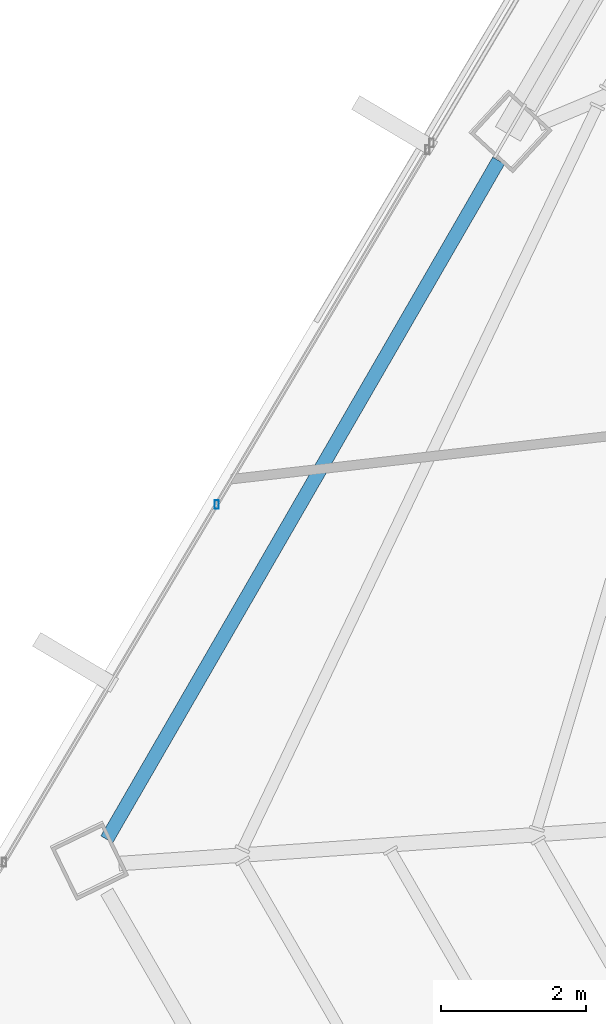
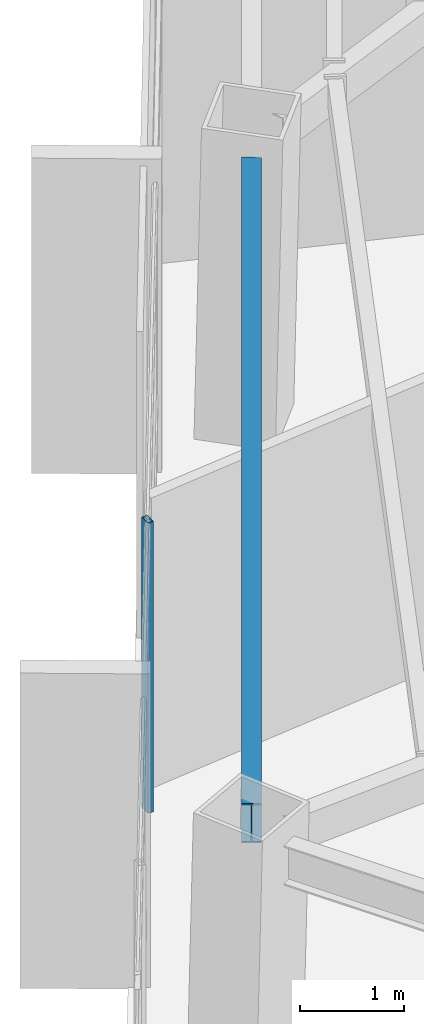
# One storey, part 9 of 49: 1 beam, 1 member, 1 element without a shape of its own.
"""IFC4 building model written with IfcOpenShell, lengths in metres."""

import ifcopenshell
import ifcopenshell.guid

model = None  # the IFC model being written
_history = None  # IfcOwnerHistory: only IFC2X3 demands one
_inside = {}  # id of a spatial element -> (the spatial element, [elements in it])
_under = {}  # id of a project, library or spatial element -> (it, [spatial elements below it])
_declared = {}  # id of a project -> (the project, [libraries it declares])
_typed = {}  # id of a type object -> (the type object, [elements of that type])
_made_of = {}  # id of a material, layer set ... -> (it, [elements and type objects made of it])


def new_model(schema):
    """Start an empty IFC model of exactly this schema.

    Asked for "IFC4X3", IfcOpenShell would pick the latest addendum, in which some entities
    have other attributes; the version numbers below select the first issue.
    IFC2X3 requires an IfcOwnerHistory on every rooted entity: one is made here for all.
    """
    global model, _history
    if schema == "IFC4X3":
        model = ifcopenshell.file(schema_version=(4, 3, 0, 0))
    else:
        model = ifcopenshell.file(schema=schema)
    _inside.clear()
    _under.clear()
    _declared.clear()
    _typed.clear()
    _made_of.clear()
    _history = None
    if model.schema == "IFC2X3":
        org = make("IfcOrganization", Name="unknown")
        user = make(
            "IfcPersonAndOrganization",
            ThePerson=make("IfcPerson", FamilyName="unknown"),
            TheOrganization=org,
        )
        app = make(
            "IfcApplication",
            ApplicationDeveloper=org,
            Version="unknown",
            ApplicationFullName="unknown",
            ApplicationIdentifier="unknown",
        )
        _history = make(
            "IfcOwnerHistory",
            OwningUser=user,
            OwningApplication=app,
            ChangeAction="ADDED",
            CreationDate=0,
        )
    return model


def make(cls, **values):
    """One entity of the class cls with the attributes given. An attribute that is None is left unset."""
    return model.create_entity(
        cls, **{name: value for name, value in values.items() if value is not None}
    )


def rooted(cls, **values):
    """An entity with a GlobalId (a new one), such as an element, a storey or a relation."""
    return make(cls, GlobalId=ifcopenshell.guid.new(), OwnerHistory=_history, **values)


def si_unit(unit_type, name, prefix=None):
    """IfcSIUnit, for example si_unit("LENGTHUNIT", "METRE", prefix="MILLI")."""
    return make("IfcSIUnit", UnitType=unit_type, Prefix=prefix, Name=name)


def assignment(units):
    """IfcUnitAssignment: the units of a project."""
    return None if units is None else make("IfcUnitAssignment", Units=units)


def point(xyz):
    """IfcCartesianPoint."""
    return None if xyz is None else make("IfcCartesianPoint", Coordinates=xyz)


def direction(xyz):
    """IfcDirection."""
    return None if xyz is None else make("IfcDirection", DirectionRatios=xyz)


def frame(location, z_axis=None, x_axis=None):
    """IfcAxis2Placement3D, a coordinate frame: its origin and axes. An axis left out is left unset."""
    return make(
        "IfcAxis2Placement3D",
        Location=point(location),
        Axis=direction(z_axis),
        RefDirection=direction(x_axis),
    )


def frame_2d(location, x_axis=None):
    """IfcAxis2Placement2D, a coordinate frame in the plane: its origin and x axis."""
    return make(
        "IfcAxis2Placement2D", Location=point(location), RefDirection=direction(x_axis)
    )


def origin():
    """The frame at (0, 0, 0) with its axes left unset."""
    return frame((0.0, 0.0, 0.0))


def origin_2d():
    """The frame at (0, 0) in the plane with its x axis left unset."""
    return frame_2d((0.0, 0.0))


def place(relative_to, where):
    """IfcLocalPlacement: puts the frame where relative to a parent placement (None: the world)."""
    return make(
        "IfcLocalPlacement", PlacementRelTo=relative_to, RelativePlacement=where
    )


def context(
    kind, dimensions, precision=None, world=None, true_north=None, identifier=None
):
    """IfcGeometricRepresentationContext, for example the 3D "Model" context."""
    return make(
        "IfcGeometricRepresentationContext",
        ContextIdentifier=identifier,
        ContextType=kind,
        CoordinateSpaceDimension=dimensions,
        Precision=precision,
        WorldCoordinateSystem=world,
        TrueNorth=true_north,
    )


def subcontext(parent, identifier, kind, view, scale=None):
    """IfcGeometricRepresentationSubContext, for example "Body" below "Model"."""
    return make(
        "IfcGeometricRepresentationSubContext",
        ContextIdentifier=identifier,
        ContextType=kind,
        ParentContext=parent,
        TargetScale=scale,
        TargetView=view,
    )


def project(units=None, contexts=None):
    """IfcProject with its units and contexts."""
    return rooted(
        "IfcProject",
        Name="project",
        RepresentationContexts=contexts,
        UnitsInContext=assignment(units),
    )


def spatial(cls, under=None, at=None, **own):
    """A site, building, storey or space (cls), placed at a placement, below another one or the project."""
    s = rooted(cls, ObjectPlacement=at, **own)
    if under is not None:
        _under.setdefault(under.id(), (under, []))[1].append(s)
    return s


def profile(cls, at=None, kind="AREA", **sizes):
    """A parametric profile (cls). Its sizes go by their IFC names, for example OverallWidth=200.0."""
    return make(cls, ProfileType=kind, Position=at, **sizes)


def hollow_rectangle(**sizes):
    """IfcRectangleHollowProfileDef."""
    return profile("IfcRectangleHollowProfileDef", **sizes)


def i_section(**sizes):
    """IfcIShapeProfileDef."""
    return profile("IfcIShapeProfileDef", **sizes)


def extrude(swept, where, along, depth):
    """IfcExtrudedAreaSolid: the profile swept, set in the frame where, extruded along a direction by depth."""
    return make(
        "IfcExtrudedAreaSolid",
        SweptArea=swept,
        Position=where,
        ExtrudedDirection=direction(along),
        Depth=depth,
    )


def shape(context_of_items, identifier, shape_type, items):
    """IfcShapeRepresentation: the items that make up one representation, for example the "Body"."""
    return make(
        "IfcShapeRepresentation",
        ContextOfItems=context_of_items,
        RepresentationIdentifier=identifier,
        RepresentationType=shape_type,
        Items=items,
    )


def source(mapping_origin, context_of_items, identifier, shape_type, items):
    """IfcRepresentationMap: a shape defined once, which mapped items show again and again."""
    return make(
        "IfcRepresentationMap",
        MappingOrigin=mapping_origin,
        MappedRepresentation=shape(context_of_items, identifier, shape_type, items),
    )


def transform(
    local_origin,
    x_axis=None,
    y_axis=None,
    z_axis=None,
    scale=None,
    scale2=None,
    scale3=None,
    uniform=True,
):
    """IfcCartesianTransformationOperator3D, or its non-uniform kind. x_axis, y_axis, z_axis: its Axis1, 2, 3."""
    if uniform:
        return make(
            "IfcCartesianTransformationOperator3D",
            Axis1=direction(x_axis),
            Axis2=direction(y_axis),
            LocalOrigin=point(local_origin),
            Scale=scale,
            Axis3=direction(z_axis),
        )
    return make(
        "IfcCartesianTransformationOperator3DnonUniform",
        Axis1=direction(x_axis),
        Axis2=direction(y_axis),
        LocalOrigin=point(local_origin),
        Scale=scale,
        Axis3=direction(z_axis),
        Scale2=scale2,
        Scale3=scale3,
    )


def mapped(mapping_source, mapping_target):
    """IfcMappedItem: shows the shape of a source again, moved by a transform."""
    return make(
        "IfcMappedItem", MappingSource=mapping_source, MappingTarget=mapping_target
    )


def material(Name=None, Category=None):
    """IfcMaterial."""
    return make("IfcMaterial", Name=Name, Category=Category)


def material_profile(
    of_material, cross_section, Name=None, Category=None, Priority=None
):
    """IfcMaterialProfile: a cross section and its material."""
    return make(
        "IfcMaterialProfile",
        Name=Name,
        Material=of_material,
        Profile=cross_section,
        Priority=Priority,
        Category=Category,
    )


def profile_set(profiles, Name=None, composite=None):
    """IfcMaterialProfileSet."""
    return make(
        "IfcMaterialProfileSet",
        Name=Name,
        MaterialProfiles=profiles,
        CompositeProfile=composite,
    )


def made_of(thing, what):
    """Note that an element or type object is made of a material, layer set ...; save() writes the relation."""
    if what is not None:
        _made_of.setdefault(what.id(), (what, []))[1].append(thing)
    return thing


def type_object(cls, material=None, **own):
    """A type object (cls), such as IfcWallType, which elements share."""
    return made_of(rooted(cls, **own), material)


def type_shapes(of_type, sources):
    """Give a type object the sources (RepresentationMaps) that its elements show as mapped items."""
    of_type.RepresentationMaps = sources


def element(
    cls,
    number,
    at=None,
    inside=None,
    cuts=None,
    type_object=None,
    material=None,
    context=None,
    identifier="Body",
    shape_type=None,
    held_by="IfcProductDefinitionShape",
    body=None,
    shapes=None,
    **own,
):
    """One element of the class cls, such as IfcWall. Its Tag is "e" and its number.

    at: its placement. inside: the storey or other place that contains it. cuts: it is an
    opening in that element (IfcRelVoidsElement). A single representation is given by context,
    identifier, shape_type and body (its items); several are given by shapes. held_by: the class
    of the entity that holds the representations. save() writes the other relations.
    """
    e = rooted(cls, Tag="e%d" % number, ObjectPlacement=at, **own)
    if body is not None:
        shapes = [shape(context, identifier, shape_type, body)]
    if shapes is not None:
        e.Representation = make(held_by, Representations=shapes)
    if inside is not None:
        _inside.setdefault(inside.id(), (inside, []))[1].append(e)
    if cuts is not None:
        rooted(
            "IfcRelVoidsElement", RelatingBuildingElement=cuts, RelatedOpeningElement=e
        )
    if type_object is not None:
        _typed.setdefault(type_object.id(), (type_object, []))[1].append(e)
    return made_of(e, material)


def aggregate(whole, parts):
    """IfcRelAggregates: a whole, such as a stair, and the parts it consists of."""
    return rooted("IfcRelAggregates", RelatingObject=whole, RelatedObjects=parts)


def save(model, path):
    """Write the relations noted so far, then the file.

    IfcRelAggregates (storeys below a building ...), IfcRelContainedInSpatialStructure (elements
    in a storey), IfcRelDefinesByType, IfcRelAssociatesMaterial and IfcRelDeclares: one each for
    every whole, place, type object, material and project.
    """
    for whole, parts in _under.values():
        aggregate(whole, parts)
    for where, things in _inside.values():
        rooted(
            "IfcRelContainedInSpatialStructure",
            RelatedElements=things,
            RelatingStructure=where,
        )
    for kind, things in _typed.values():
        rooted("IfcRelDefinesByType", RelatedObjects=things, RelatingType=kind)
    for what, things in _made_of.values():
        rooted("IfcRelAssociatesMaterial", RelatedObjects=things, RelatingMaterial=what)
    for by, libraries in _declared.values():
        rooted("IfcRelDeclares", RelatingContext=by, RelatedDefinitions=libraries)
    model.write(path)


model = new_model("IFC4")

# Units and contexts
model_context = context("Model", 3, precision=1e-05, world=origin(), true_north=direction((0.0, 1.0)))
body_context = subcontext(model_context, "Body", "Model", "MODEL_VIEW")
ifc_project = project(units=[si_unit("LENGTHUNIT", "METRE"), si_unit("AREAUNIT", "SQUARE_METRE"), si_unit("VOLUMEUNIT", "CUBIC_METRE"), si_unit("PLANEANGLEUNIT", "RADIAN"), si_unit("MASSUNIT", "GRAM", prefix="KILO")], contexts=[model_context])

# Site, building, storey
site_placement = place(None, origin())
site = spatial("IfcSite", under=ifc_project, at=site_placement, CompositionType="ELEMENT")
building_placement = place(site_placement, origin())
building = spatial("IfcBuilding", under=site, at=building_placement, Name="Caelisora Broadcast Tower", CompositionType="ELEMENT")
storey_placement = place(building_placement, frame((0.0, 0.0, 233.5)))
storey = spatial("IfcBuildingStorey", under=building, at=storey_placement, Name="L61", CompositionType="ELEMENT", Elevation=233.5)

# Beam
ifc_material_1 = material(Name="Steel Grade 350 (AS/NZS 3679.1)", Category="steel")
ifc_material_profile_1 = material_profile(ifc_material_1, i_section(OverallWidth=0.19091796875, OverallDepth=0.46044921875, WebThickness=0.010009765625, FlangeThickness=0.01611328125, at=origin_2d()), Name="Steel Grade 350 (AS/NZS 3679.1)")
ifc_profile_set_1 = profile_set([ifc_material_profile_1], Name="Steel Grade 350 (AS/NZS 3679.1)")
beam_type = type_object("IfcBeamType", Name="PG06", PredefinedType="BEAM", material=ifc_profile_set_1)
shared_shape_1 = source(origin(), body_context, "Body", "SweptSolid", [
    extrude(i_section(OverallWidth=0.19091796875, OverallDepth=0.46044921875, WebThickness=0.010009765625, FlangeThickness=0.01611328125, at=origin_2d()), origin(), (0.0, 0.0, 1.0), 10.804443359375),
])
type_shapes(beam_type, [shared_shape_1])
beam_placement = place(storey_placement, frame((21.849853515625, 26.125732421875, 3.169921875), z_axis=(-0.50000802585, -0.866020770008, 0.0), x_axis=(0.866020770008, -0.50000802585, 0.0)))
element("IfcBeam", 1, at=beam_placement, inside=storey, type_object=beam_type, Name="L61 beam PG06", PredefinedType="BEAM", context=body_context, shape_type="MappedRepresentation", body=[
    mapped(shared_shape_1, transform((0.0, 0.0, 0.0), scale=1.0)),
])

# Curtain wall, member
ifc_material_2 = material(Name="Unitised Aluminium and Low-E Glass Curtain Wall", Category="glass")
curtain_wall_type = type_object("IfcCurtainWallType", Name="CW-Z5", PredefinedType="NOTDEFINED", material=ifc_material_2)
curtain_wall_placement = place(storey_placement, origin())
curtain_wall = element("IfcCurtainWall", 2, at=curtain_wall_placement, inside=storey, type_object=curtain_wall_type, Name="L61 curtain wall CW-Z5", PredefinedType="NOTDEFINED")
ifc_material_3 = material(Name="Aluminium 6063-T6 Anodised Terracotta Bronze", Category="aluminium")
ifc_material_profile_2 = material_profile(ifc_material_3, hollow_rectangle(XDim=0.06005859375, YDim=0.1201171875, WallThickness=0.0029296875, at=origin_2d()), Name="Aluminium 6063-T6 Anodised Terracotta Bronze")
ifc_profile_set_2 = profile_set([ifc_material_profile_2], Name="Aluminium 6063-T6 Anodised Terracotta Bronze")
member_type = type_object("IfcMemberType", Name="CWM-04", PredefinedType="MULLION", material=ifc_profile_set_2)
shared_shape_2 = source(origin(), body_context, "Body", "SweptSolid", [
    extrude(hollow_rectangle(XDim=0.06005859375, YDim=0.1201171875, WallThickness=0.0029296875, at=origin_2d()), origin(), (0.0, 0.0, 1.0), 3.39990234375),
])
type_shapes(member_type, [shared_shape_2])
member_placement = place(storey_placement, frame((17.962890625, 21.385498046875, 0.0), z_axis=(0.0, 0.0, 1.0), x_axis=(1.0, 0.0, 0.0)))
member = element("IfcMember", 3, at=member_placement, type_object=member_type, Name="L61-CW-B09 mullion #2", PredefinedType="MULLION", context=body_context, shape_type="MappedRepresentation", body=[
    mapped(shared_shape_2, transform((0.0, 0.0, 0.0), scale=1.0)),
])
aggregate(curtain_wall, [member])

save(model, "model.ifc")
